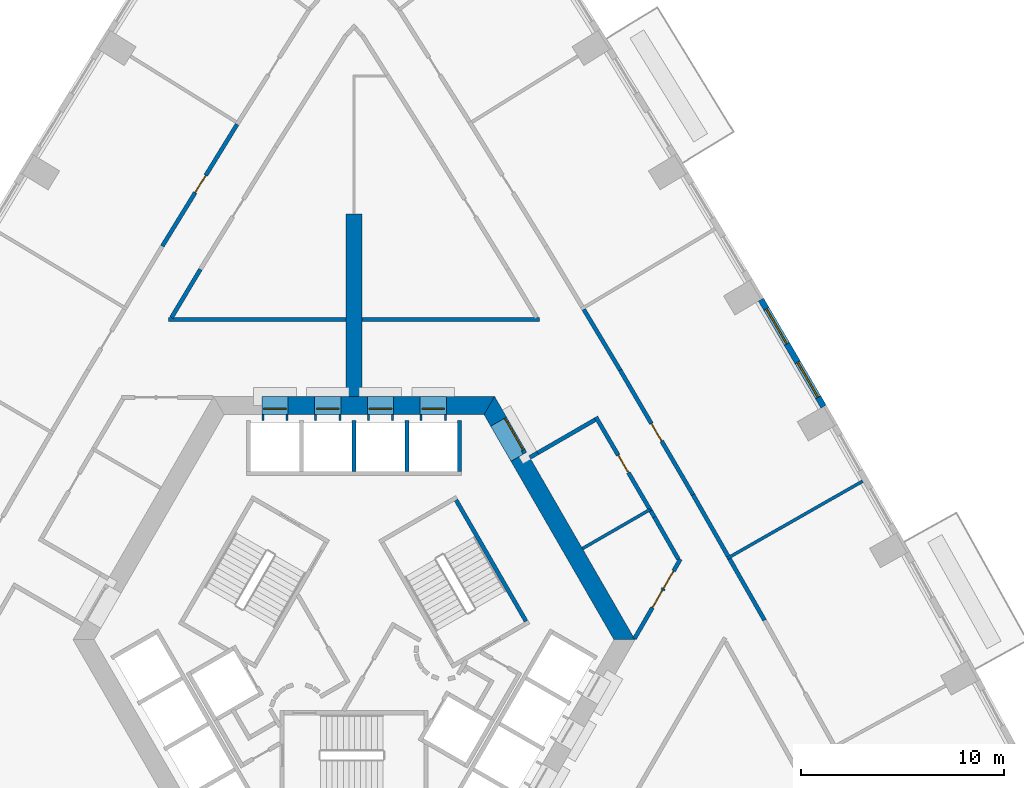
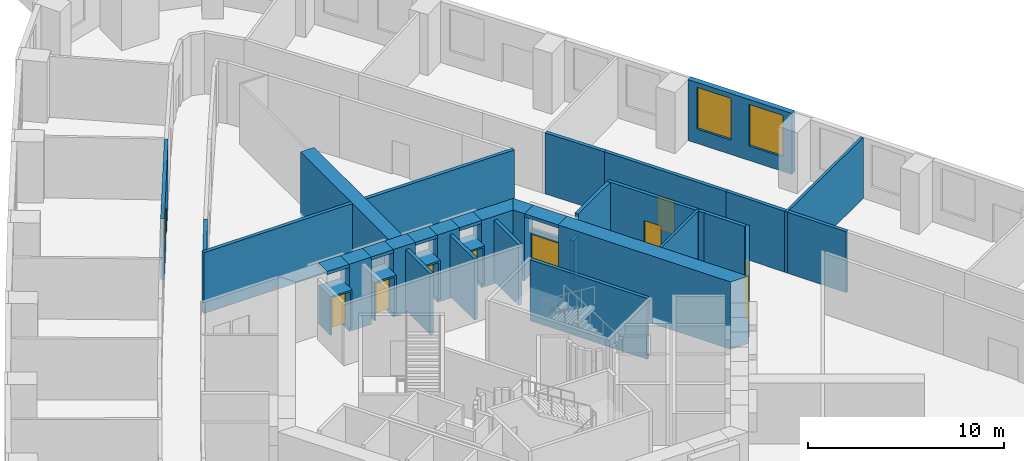
# One storey, part 9 of 15: 38 walls, 10 doors, 2 windows, 12 openings.
"""IFC4 building model written with IfcOpenShell, lengths in metres."""

from ifc_helpers import new_model, si_unit, direction, frame, frame_2d, origin, place, context, subcontext, project, spatial, polyline, rectangle, outline, extrude, material, layer, layer_set, type_object, element, fill, save


model = new_model("IFC4")

# Units and contexts
model_context = context("Model", 3, precision=1e-05, world=origin(), true_north=direction((0.0, 1.0)))
body_context = subcontext(model_context, "Body", "Model", "MODEL_VIEW")
ifc_project = project(units=[si_unit("LENGTHUNIT", "METRE"), si_unit("AREAUNIT", "SQUARE_METRE"), si_unit("VOLUMEUNIT", "CUBIC_METRE"), si_unit("PLANEANGLEUNIT", "RADIAN"), si_unit("MASSUNIT", "GRAM", prefix="KILO")], contexts=[model_context])

# Site, building, storey
site_placement = place(None, origin())
site = spatial("IfcSite", under=ifc_project, at=site_placement, CompositionType="ELEMENT")
building_placement = place(site_placement, origin())
building = spatial("IfcBuilding", under=site, at=building_placement, Name="Entoto Arch Interchange Tower", CompositionType="ELEMENT")
storey_placement = place(building_placement, frame((0.0, 0.0, 111.800048828125)))
storey = spatial("IfcBuildingStorey", under=building, at=storey_placement, Name="L24", CompositionType="ELEMENT", Elevation=111.800048828125)

# Wall
ifc_material_1 = material(Name="Concrete C60/75", Category="concrete")
ifc_layer_1 = layer(ifc_material_1, 0.800048828125)
ifc_layer_set_1 = layer_set([ifc_layer_1], Name="Concrete C60/75")
wall_type_1 = type_object("IfcWallType", Name="Buttress wall 800 C60/75", PredefinedType="SHEAR", material=ifc_layer_set_1)
wall_1_placement = place(storey_placement, frame((0.0, 14.5, -0.400146484375), z_axis=(0.0, 0.0, 1.0), x_axis=(0.0, 1.0, 0.0)))
element("IfcWall", 1, at=wall_1_placement, inside=storey, type_object=wall_type_1, Name="Buttress wall N L24", PredefinedType="SHEAR", context=body_context, shape_type="SweptSolid", body=[
    extrude(rectangle(XDim=9.0, YDim=0.800048828125, at=frame_2d((4.5, 0.0))), origin(), (0.0, 0.0, 1.0), 4.2001953125),
])

# Wall, opening, door
ifc_material_2 = material(Name="Reinforced concrete C40/50", Category="concrete")
ifc_layer_2 = layer(ifc_material_2, 0.199951171875)
ifc_layer_set_2 = layer_set([ifc_layer_2], Name="Reinforced concrete C40/50")
wall_type_2 = type_object("IfcWallType", Name="CORE GAP INFILL WALL", PredefinedType="PARTITIONING", material=ifc_layer_set_2)
wall_2_placement = place(storey_placement, frame((8.429931640625, 11.697998046875, 0.0), z_axis=(0.0, 0.0, 1.0), x_axis=(-0.50002537861, 0.866010750942, 0.0)))
wall_2 = element("IfcWall", 2, at=wall_2_placement, inside=storey, type_object=wall_type_2, Name="wall:L24:gap2", PredefinedType="PARTITIONING", context=body_context, shape_type="SweptSolid", body=[
    extrude(rectangle(XDim=2.0, YDim=0.199951171875, at=frame_2d((1.0, 0.0))), origin(), (0.0, 0.0, 1.0), 2.39990234375),
])
opening_1_placement = place(wall_2_placement, frame((0.18994140625, 0.0, 0.0)))
opening_1 = element("IfcOpeningElement", 3, at=opening_1_placement, cuts=wall_2, Name="Opening L24-D92", PredefinedType="OPENING", context=body_context, shape_type="SweptSolid", body=[
    extrude(rectangle(XDim=1.800048828125, YDim=2.10009765625, at=frame_2d((0.89990234375, 1.050048828125))), frame((0.0, 0.10986328125, 0.0), z_axis=(0.0, -1.0, 0.0), x_axis=(1.0, 0.0, 0.0)), (0.0, 0.0, 1.0), 0.219970703125),
])
ifc_material_3 = material(Name="Fire-rated Steel S235 door and frame", Category="steel")
door_type_1 = type_object("IfcDoorType", Name="DOOR FD-18 1800x2100", OperationType="DOUBLE_DOOR_SINGLE_SWING", PredefinedType="DOOR", material=ifc_material_3)
door_1_placement = place(opening_1_placement, origin())
door_1 = element("IfcDoor", 4, at=door_1_placement, inside=storey, type_object=door_type_1, Name="door:L24:gap2", OperationType="DOUBLE_DOOR_SINGLE_SWING", OverallHeight=2.10009765625, OverallWidth=1.800048828125, PredefinedType="DOOR", context=body_context, shape_type="SweptSolid", body=[
    extrude(rectangle(XDim=1.800048828125, YDim=2.10009765625, at=frame_2d((0.89990234375, 1.050048828125))), frame((0.0, 0.02490234375, 0.0), z_axis=(0.0, -1.0, 0.0), x_axis=(1.0, 0.0, 0.0)), (0.0, 0.0, 1.0), 0.050048828125),
])
fill(opening_1, door_1)

# Walls
ifc_layer_3 = layer(ifc_material_1, 0.89990234375)
ifc_layer_set_3 = layer_set([ifc_layer_3], Name="Concrete C60/75")
wall_type_3 = type_object("IfcWallType", Name="Core wall 900 C60/75", PredefinedType="SHEAR", material=ifc_layer_set_3)
wall_3_placement = place(storey_placement, frame((0.0, 0.0, -0.400146484375)))
element("IfcWall", 5, at=wall_3_placement, inside=storey, type_object=wall_type_3, Name="Core wall NE L24", PredefinedType="SHEAR", context=body_context, shape_type="SweptSolid", body=[
    extrude(outline(polyline([(8.51708984375, 11.748046875), (7.738037109375, 11.298095703125), (12.81689453125, 2.5), (13.85595703125, 2.5), (8.51708984375, 11.748046875)])), origin(), (0.0, 0.0, 1.0), 4.2001953125),
])
wall_4_placement = place(storey_placement, frame((0.0, 0.0, -0.400146484375)))
element("IfcWall", 6, at=wall_4_placement, inside=storey, type_object=wall_type_3, Name="Core wall NE L24", PredefinedType="SHEAR", context=body_context, shape_type="SweptSolid", body=[
    extrude(outline(polyline([(6.738037109375, 13.030029296875), (7.51708984375, 13.47998046875), (6.927978515625, 14.5), (6.408935546875, 13.60009765625), (6.738037109375, 13.030029296875)])), origin(), (0.0, 0.0, 1.0), 4.2001953125),
])
wall_5_placement = place(storey_placement, frame((0.0, 0.0, 3.599853515625)))
element("IfcWall", 7, at=wall_5_placement, inside=storey, type_object=wall_type_3, Name="Core wall lintel NE L24", PredefinedType="SHEAR", context=body_context, shape_type="SweptSolid", body=[
    extrude(outline(polyline([(7.51708984375, 13.47998046875), (6.738037109375, 13.030029296875), (7.738037109375, 11.298095703125), (8.51708984375, 11.748046875), (7.51708984375, 13.47998046875)])), origin(), (0.0, 0.0, 1.0), 0.2001953125),
])
wall_6_placement = place(storey_placement, frame((0.0, 0.0, -0.400146484375)))
element("IfcWall", 8, at=wall_6_placement, inside=storey, type_object=wall_type_3, Name="Core wall N L24", PredefinedType="SHEAR", context=body_context, shape_type="SweptSolid", body=[
    extrude(outline(polyline([(4.550048828125, 14.5), (4.550048828125, 13.60009765625), (6.408935546875, 13.60009765625), (6.927978515625, 14.5), (4.550048828125, 14.5)])), origin(), (0.0, 0.0, 1.0), 4.2001953125),
])
wall_7_placement = place(storey_placement, frame((0.0, 0.0, -0.400146484375)))
element("IfcWall", 9, at=wall_7_placement, inside=storey, type_object=wall_type_3, Name="Core wall N L24", PredefinedType="SHEAR", context=body_context, shape_type="SweptSolid", body=[
    extrude(outline(polyline([(1.949951171875, 14.5), (1.949951171875, 13.60009765625), (3.25, 13.60009765625), (3.25, 14.5), (1.949951171875, 14.5)])), origin(), (0.0, 0.0, 1.0), 4.2001953125),
])
wall_8_placement = place(storey_placement, frame((0.0, 0.0, -0.400146484375)))
element("IfcWall", 10, at=wall_8_placement, inside=storey, type_object=wall_type_3, Name="Core wall N L24", PredefinedType="SHEAR", context=body_context, shape_type="SweptSolid", body=[
    extrude(outline(polyline([(-0.64990234375, 14.5), (-0.64990234375, 13.60009765625), (0.64990234375, 13.60009765625), (0.64990234375, 14.5), (-0.64990234375, 14.5)])), origin(), (0.0, 0.0, 1.0), 4.2001953125),
])
wall_9_placement = place(storey_placement, frame((0.0, 0.0, -0.400146484375)))
element("IfcWall", 11, at=wall_9_placement, inside=storey, type_object=wall_type_3, Name="Core wall N L24", PredefinedType="SHEAR", context=body_context, shape_type="SweptSolid", body=[
    extrude(outline(polyline([(-3.25, 14.5), (-3.25, 13.60009765625), (-1.949951171875, 13.60009765625), (-1.949951171875, 14.5), (-3.25, 14.5)])), origin(), (0.0, 0.0, 1.0), 4.2001953125),
])
wall_10_placement = place(storey_placement, frame((0.0, 0.0, 3.599853515625)))
element("IfcWall", 12, at=wall_10_placement, inside=storey, type_object=wall_type_3, Name="Core wall lintel N L24", PredefinedType="SHEAR", context=body_context, shape_type="SweptSolid", body=[
    extrude(outline(polyline([(3.25, 14.5), (3.25, 13.60009765625), (4.550048828125, 13.60009765625), (4.550048828125, 14.5), (3.25, 14.5)])), origin(), (0.0, 0.0, 1.0), 0.2001953125),
])
wall_11_placement = place(storey_placement, frame((0.0, 0.0, 3.599853515625)))
element("IfcWall", 13, at=wall_11_placement, inside=storey, type_object=wall_type_3, Name="Core wall lintel N L24", PredefinedType="SHEAR", context=body_context, shape_type="SweptSolid", body=[
    extrude(outline(polyline([(0.64990234375, 14.5), (0.64990234375, 13.60009765625), (1.949951171875, 13.60009765625), (1.949951171875, 14.5), (0.64990234375, 14.5)])), origin(), (0.0, 0.0, 1.0), 0.2001953125),
])
wall_12_placement = place(storey_placement, frame((0.0, 0.0, 3.599853515625)))
element("IfcWall", 14, at=wall_12_placement, inside=storey, type_object=wall_type_3, Name="Core wall lintel N L24", PredefinedType="SHEAR", context=body_context, shape_type="SweptSolid", body=[
    extrude(outline(polyline([(-1.949951171875, 14.5), (-1.949951171875, 13.60009765625), (-0.64990234375, 13.60009765625), (-0.64990234375, 14.5), (-1.949951171875, 14.5)])), origin(), (0.0, 0.0, 1.0), 0.2001953125),
])
wall_13_placement = place(storey_placement, frame((0.0, 0.0, 3.599853515625)))
element("IfcWall", 15, at=wall_13_placement, inside=storey, type_object=wall_type_3, Name="Core wall lintel N L24", PredefinedType="SHEAR", context=body_context, shape_type="SweptSolid", body=[
    extrude(outline(polyline([(-4.550048828125, 14.5), (-4.550048828125, 13.60009765625), (-3.25, 13.60009765625), (-3.25, 14.5), (-4.550048828125, 14.5)])), origin(), (0.0, 0.0, 1.0), 0.2001953125),
])

# Wall, opening, door
ifc_material_4 = material(Name="Concrete C40/50", Category="concrete")
ifc_layer_4 = layer(ifc_material_4, 1.199951171875)
ifc_layer_set_4 = layer_set([ifc_layer_4], Name="Concrete C40/50")
wall_type_4 = type_object("IfcWallType", Name="LIFT LANDING INFILL WALL", PredefinedType="STANDARD", material=ifc_layer_set_4)
wall_14_placement = place(storey_placement, frame((4.550048828125, 13.89990234375, 0.0), z_axis=(0.0, 0.0, 1.0), x_axis=(-1.0, 0.0, 0.0)))
wall_14 = element("IfcWall", 16, at=wall_14_placement, inside=storey, type_object=wall_type_4, Name="Lift landing infill wall LR1 L24", PredefinedType="STANDARD", context=body_context, shape_type="SweptSolid", body=[
    extrude(rectangle(XDim=1.300048828125, YDim=1.199951171875, at=frame_2d((0.64990234375, 0.0))), origin(), (0.0, 0.0, 1.0), 2.39990234375),
])
opening_2_placement = place(wall_14_placement, frame((0.10009765625, 0.0, 0.0)))
opening_2 = element("IfcOpeningElement", 17, at=opening_2_placement, cuts=wall_14, Name="Opening LD-LR1-L24", PredefinedType="OPENING", context=body_context, shape_type="SweptSolid", body=[
    extrude(rectangle(XDim=1.10009765625, YDim=2.300048828125, at=frame_2d((0.550048828125, 1.14990234375))), frame((0.0, 0.60986328125, 0.0), z_axis=(0.0, -1.0, 0.0), x_axis=(1.0, 0.0, 0.0)), (0.0, 0.0, 1.0), 1.219970703125),
])
ifc_material_5 = material(Name="Stainless steel 1.4301 panels", Category="steel")
door_type_2 = type_object("IfcDoorType", Name="LIFT LANDING DOOR LD2 1100x2300", OperationType="SLIDING_TO_LEFT", PredefinedType="DOOR", material=ifc_material_5)
door_2_placement = place(opening_2_placement, origin())
door_2 = element("IfcDoor", 18, at=door_2_placement, inside=storey, type_object=door_type_2, Name="Lift landing door LR1 L24", OperationType="SLIDING_TO_LEFT", OverallHeight=2.300048828125, OverallWidth=1.10009765625, PredefinedType="DOOR", context=body_context, shape_type="SweptSolid", body=[
    extrude(rectangle(XDim=1.10009765625, YDim=2.300048828125, at=frame_2d((0.550048828125, 1.14990234375))), frame((0.0, 0.02490234375, 0.0), z_axis=(0.0, -1.0, 0.0), x_axis=(1.0, 0.0, 0.0)), (0.0, 0.0, 1.0), 0.050048828125),
])
fill(opening_2, door_2)

wall_15_placement = place(storey_placement, frame((1.949951171875, 13.89990234375, 0.0), z_axis=(0.0, 0.0, 1.0), x_axis=(-1.0, 0.0, 0.0)))
wall_15 = element("IfcWall", 19, at=wall_15_placement, inside=storey, type_object=wall_type_4, Name="Lift landing infill wall LR2 L24", PredefinedType="STANDARD", context=body_context, shape_type="SweptSolid", body=[
    extrude(rectangle(XDim=1.300048828125, YDim=1.199951171875, at=frame_2d((0.64990234375, 0.0))), origin(), (0.0, 0.0, 1.0), 2.39990234375),
])
opening_3_placement = place(wall_15_placement, frame((0.10009765625, 0.0, 0.0)))
opening_3 = element("IfcOpeningElement", 20, at=opening_3_placement, cuts=wall_15, Name="Opening LD-LR2-L24", PredefinedType="OPENING", context=body_context, shape_type="SweptSolid", body=[
    extrude(rectangle(XDim=1.10009765625, YDim=2.300048828125, at=frame_2d((0.550048828125, 1.14990234375))), frame((0.0, 0.60986328125, 0.0), z_axis=(0.0, -1.0, 0.0), x_axis=(1.0, 0.0, 0.0)), (0.0, 0.0, 1.0), 1.219970703125),
])
door_3_placement = place(opening_3_placement, origin())
door_3 = element("IfcDoor", 21, at=door_3_placement, inside=storey, type_object=door_type_2, Name="Lift landing door LR2 L24", OperationType="SLIDING_TO_LEFT", OverallHeight=2.300048828125, OverallWidth=1.10009765625, PredefinedType="DOOR", context=body_context, shape_type="SweptSolid", body=[
    extrude(rectangle(XDim=1.10009765625, YDim=2.300048828125, at=frame_2d((0.550048828125, 1.14990234375))), frame((0.0, 0.02490234375, 0.0), z_axis=(0.0, -1.0, 0.0), x_axis=(1.0, 0.0, 0.0)), (0.0, 0.0, 1.0), 0.050048828125),
])
fill(opening_3, door_3)

wall_16_placement = place(storey_placement, frame((-0.64990234375, 13.89990234375, 0.0), z_axis=(0.0, 0.0, 1.0), x_axis=(-1.0, 0.0, 0.0)))
wall_16 = element("IfcWall", 22, at=wall_16_placement, inside=storey, type_object=wall_type_4, Name="Lift landing infill wall LR3 L24", PredefinedType="STANDARD", context=body_context, shape_type="SweptSolid", body=[
    extrude(rectangle(XDim=1.300048828125, YDim=1.199951171875, at=frame_2d((0.64990234375, 0.0))), origin(), (0.0, 0.0, 1.0), 2.39990234375),
])
opening_4_placement = place(wall_16_placement, frame((0.10009765625, 0.0, 0.0)))
opening_4 = element("IfcOpeningElement", 23, at=opening_4_placement, cuts=wall_16, Name="Opening LD-LR3-L24", PredefinedType="OPENING", context=body_context, shape_type="SweptSolid", body=[
    extrude(rectangle(XDim=1.10009765625, YDim=2.300048828125, at=frame_2d((0.550048828125, 1.14990234375))), frame((0.0, 0.60986328125, 0.0), z_axis=(0.0, -1.0, 0.0), x_axis=(1.0, 0.0, 0.0)), (0.0, 0.0, 1.0), 1.219970703125),
])
door_4_placement = place(opening_4_placement, origin())
door_4 = element("IfcDoor", 24, at=door_4_placement, inside=storey, type_object=door_type_2, Name="Lift landing door LR3 L24", OperationType="SLIDING_TO_LEFT", OverallHeight=2.300048828125, OverallWidth=1.10009765625, PredefinedType="DOOR", context=body_context, shape_type="SweptSolid", body=[
    extrude(rectangle(XDim=1.10009765625, YDim=2.300048828125, at=frame_2d((0.550048828125, 1.14990234375))), frame((0.0, 0.02490234375, 0.0), z_axis=(0.0, -1.0, 0.0), x_axis=(1.0, 0.0, 0.0)), (0.0, 0.0, 1.0), 0.050048828125),
])
fill(opening_4, door_4)

wall_17_placement = place(storey_placement, frame((-3.25, 13.89990234375, 0.0), z_axis=(0.0, 0.0, 1.0), x_axis=(-1.0, 0.0, 0.0)))
wall_17 = element("IfcWall", 25, at=wall_17_placement, inside=storey, type_object=wall_type_4, Name="Lift landing infill wall LR4 L24", PredefinedType="STANDARD", context=body_context, shape_type="SweptSolid", body=[
    extrude(rectangle(XDim=1.300048828125, YDim=1.199951171875, at=frame_2d((0.64990234375, 0.0))), origin(), (0.0, 0.0, 1.0), 2.39990234375),
])
opening_5_placement = place(wall_17_placement, frame((0.10009765625, 0.0, 0.0)))
opening_5 = element("IfcOpeningElement", 26, at=opening_5_placement, cuts=wall_17, Name="Opening LD-LR4-L24", PredefinedType="OPENING", context=body_context, shape_type="SweptSolid", body=[
    extrude(rectangle(XDim=1.10009765625, YDim=2.300048828125, at=frame_2d((0.550048828125, 1.14990234375))), frame((0.0, 0.60986328125, 0.0), z_axis=(0.0, -1.0, 0.0), x_axis=(1.0, 0.0, 0.0)), (0.0, 0.0, 1.0), 1.219970703125),
])
door_5_placement = place(opening_5_placement, origin())
door_5 = element("IfcDoor", 27, at=door_5_placement, inside=storey, type_object=door_type_2, Name="Lift landing door LR4 L24", OperationType="SLIDING_TO_LEFT", OverallHeight=2.300048828125, OverallWidth=1.10009765625, PredefinedType="DOOR", context=body_context, shape_type="SweptSolid", body=[
    extrude(rectangle(XDim=1.10009765625, YDim=2.300048828125, at=frame_2d((0.550048828125, 1.14990234375))), frame((0.0, 0.02490234375, 0.0), z_axis=(0.0, -1.0, 0.0), x_axis=(1.0, 0.0, 0.0)), (0.0, 0.0, 1.0), 0.050048828125),
])
fill(opening_5, door_5)

# Walls
ifc_layer_5 = layer(ifc_material_4, 0.199951171875)
ifc_layer_set_5 = layer_set([ifc_layer_5], Name="Concrete C40/50")
wall_type_5 = type_object("IfcWallType", Name="LIFT SHAFT WALL 200", PredefinedType="STANDARD", material=ifc_layer_set_5)
for number, where, z_axis, x_axis, name in (
    (28, (5.199951171875, 10.800048828125, 0.0), (0.0, 0.0, 1.0), (0.0, 1.0, 0.0), "Shaft wall N3 cross 1"),
    (29, (2.60009765625, 10.800048828125, 0.0), (0.0, 0.0, 1.0), (0.0, 1.0, 0.0), "Shaft wall N3 cross 2"),
    (30, (0.0, 10.800048828125, 0.0), (0.0, 0.0, 1.0), (0.0, 1.0, 0.0), "Shaft wall N3 cross 3"),
):
    element("IfcWall", number, at=place(storey_placement, frame(where, z_axis=z_axis, x_axis=x_axis)), inside=storey, type_object=wall_type_5, Name=name, PredefinedType="STANDARD", context=body_context, shape_type="SweptSolid", body=[
        extrude(rectangle(XDim=2.5, YDim=0.199951171875, at=frame_2d((1.25, 0.0))), origin(), (0.0, 0.0, 1.0), 3.800048828125),
    ])
ifc_material_6 = material(Name="Gypsum board partition on steel studs", Category="steel")
ifc_layer_6 = layer(ifc_material_6, 0.14990234375)
ifc_layer_set_6 = layer_set([ifc_layer_6], Name="Gypsum board partition on steel studs")
wall_type_6 = type_object("IfcWallType", Name="PARTITION 150", PredefinedType="PARTITIONING", material=ifc_layer_set_6)
wall_18_placement = place(storey_placement, frame((11.260986328125, 6.993896484375, 0.0), z_axis=(0.0, 0.0, 1.0), x_axis=(0.86605248387, 0.499953092981, 0.0)))
element("IfcWall", 31, at=wall_18_placement, inside=storey, type_object=wall_type_6, Name="wall:L24:p091", PredefinedType="PARTITIONING", context=body_context, shape_type="SweptSolid", body=[
    extrude(rectangle(XDim=3.848388671875, YDim=0.14990234375, at=frame_2d((1.92431640625, 0.0))), origin(), (0.0, 0.0, 1.0), 3.800048828125),
])
wall_19_placement = place(storey_placement, frame((18.39111328125, 6.506103515625, 0.0), z_axis=(0.0, 0.0, 1.0), x_axis=(0.868738258528, 0.495271479261, 0.0)))
element("IfcWall", 32, at=wall_19_placement, inside=storey, type_object=wall_type_6, Name="wall:L24:p122", PredefinedType="PARTITIONING", context=body_context, shape_type="SweptSolid", body=[
    extrude(rectangle(XDim=7.70068359375, YDim=0.14990234375, at=frame_2d((3.850341796875, 0.0))), origin(), (0.0, 0.0, 1.0), 3.800048828125),
])
ifc_layer_7 = layer(ifc_material_6, 0.199951171875)
ifc_layer_set_7 = layer_set([ifc_layer_7], Name="Gypsum board partition on steel studs")
wall_type_7 = type_object("IfcWallType", Name="PARTITION 200", PredefinedType="PARTITIONING", material=ifc_layer_set_7)
wall_20_placement = place(storey_placement, frame((15.992919921875, 6.472900390625, 0.0), z_axis=(0.0, 0.0, 1.0), x_axis=(-0.495159881733, 0.86880187127, 0.0)))
element("IfcWall", 33, at=wall_20_placement, inside=storey, type_object=wall_type_7, Name="wall:L24:p005", PredefinedType="PARTITIONING", context=body_context, shape_type="SweptSolid", body=[
    extrude(rectangle(XDim=2.390869140625, YDim=0.199951171875, at=frame_2d((1.1953125, 0.0))), origin(), (0.0, 0.0, 1.0), 3.800048828125),
])
wall_21_placement = place(storey_placement, frame((14.80908203125, 8.550048828125, 0.0), z_axis=(0.0, 0.0, 1.0), x_axis=(-0.50443330283, 0.86345066043, 0.0)))
element("IfcWall", 34, at=wall_21_placement, inside=storey, type_object=wall_type_7, Name="wall:L24:p006", PredefinedType="PARTITIONING", context=body_context, shape_type="SweptSolid", body=[
    extrude(rectangle(XDim=0.350830078125, YDim=0.199951171875, at=frame_2d((0.17529296875, 0.0))), origin(), (0.0, 0.0, 1.0), 3.800048828125),
])

# Wall, opening, door
wall_22_placement = place(storey_placement, frame((14.632080078125, 8.85302734375, 0.0), z_axis=(0.0, 0.0, 1.0), x_axis=(-0.504798859257, 0.863236996249, 0.0)))
wall_22 = element("IfcWall", 35, at=wall_22_placement, inside=storey, type_object=wall_type_7, Name="wall:L24:p007", PredefinedType="PARTITIONING", context=body_context, shape_type="SweptSolid", body=[
    extrude(rectangle(XDim=5.364501953125, YDim=0.199951171875, at=frame_2d((2.68212890625, 0.0))), origin(), (0.0, 0.0, 1.0), 3.800048828125),
])
opening_6_placement = place(wall_22_placement, frame((2.181884765625, 0.0, 0.0)))
opening_6 = element("IfcOpeningElement", 36, at=opening_6_placement, cuts=wall_22, Name="Opening L24-D27", PredefinedType="OPENING", context=body_context, shape_type="SweptSolid", body=[
    extrude(rectangle(XDim=1.0, YDim=2.10009765625, at=frame_2d((0.5, 1.050048828125))), frame((0.0, 0.10986328125, 0.0), z_axis=(0.0, -1.0, 0.0), x_axis=(1.0, 0.0, 0.0)), (0.0, 0.0, 1.0), 0.219970703125),
])
ifc_material_7 = material(Name="Timber door leaf in Steel S235 frame", Category="steel")
door_type_3 = type_object("IfcDoorType", Name="DOOR DS-10 1000x2100", OperationType="SINGLE_SWING_LEFT", PredefinedType="DOOR", material=ifc_material_7)
door_6_placement = place(opening_6_placement, origin())
door_6 = element("IfcDoor", 37, at=door_6_placement, inside=storey, type_object=door_type_3, Name="door:L24:27", OperationType="SINGLE_SWING_LEFT", OverallHeight=2.10009765625, OverallWidth=1.0, PredefinedType="DOOR", context=body_context, shape_type="SweptSolid", body=[
    extrude(rectangle(XDim=1.0, YDim=2.10009765625, at=frame_2d((0.5, 1.050048828125))), frame((0.0, 0.02490234375, 0.0), z_axis=(0.0, -1.0, 0.0), x_axis=(1.0, 0.0, 0.0)), (0.0, 0.0, 1.0), 0.050048828125),
])
fill(opening_6, door_6)

# Walls
wall_23_placement = place(storey_placement, frame((11.887939453125, 13.347900390625, 0.0), z_axis=(0.0, 0.0, 1.0), x_axis=(-0.865959227195, -0.500114603702, 0.0)))
element("IfcWall", 38, at=wall_23_placement, inside=storey, type_object=wall_type_7, Name="wall:L24:p008", PredefinedType="PARTITIONING", context=body_context, shape_type="SweptSolid", body=[
    extrude(rectangle(XDim=3.269287109375, YDim=0.199951171875, at=frame_2d((1.634765625, 0.0))), origin(), (0.0, 0.0, 1.0), 3.800048828125),
])
wall_24_placement = place(storey_placement, frame((-7.575927734375, 20.76806640625, 0.0), z_axis=(0.0, 0.0, 1.0), x_axis=(-0.513900868925, -0.857849577092, 0.0)))
element("IfcWall", 39, at=wall_24_placement, inside=storey, type_object=wall_type_7, Name="wall:L24:p017", PredefinedType="PARTITIONING", context=body_context, shape_type="SweptSolid", body=[
    extrude(rectangle(XDim=2.77685546875, YDim=0.199951171875, at=frame_2d((1.388427734375, 0.0))), origin(), (0.0, 0.0, 1.0), 3.800048828125),
])
wall_25_placement = place(storey_placement, frame((18.514892578125, 6.490966796875, 0.0), z_axis=(0.0, 0.0, 1.0), x_axis=(0.495309264725, -0.868716715781, 0.0)))
element("IfcWall", 40, at=wall_25_placement, inside=storey, type_object=wall_type_7, Name="wall:L24:p045", PredefinedType="PARTITIONING", context=body_context, shape_type="SweptSolid", body=[
    extrude(rectangle(XDim=3.48681640625, YDim=0.199951171875, at=frame_2d((1.743408203125, 0.0))), origin(), (0.0, 0.0, 1.0), 3.800048828125),
])
wall_26_placement = place(storey_placement, frame((11.325927734375, 18.7900390625, 0.0), z_axis=(0.0, 0.0, 1.0), x_axis=(0.514155958966, -0.857696712049, 0.0)))
element("IfcWall", 41, at=wall_26_placement, inside=storey, type_object=wall_type_7, Name="wall:L24:p047", PredefinedType="PARTITIONING", context=body_context, shape_type="SweptSolid", body=[
    extrude(rectangle(XDim=3.4873046875, YDim=0.199951171875, at=frame_2d((1.74365234375, 0.0))), origin(), (0.0, 0.0, 1.0), 3.800048828125),
])

# Wall, opening, door
wall_27_placement = place(storey_placement, frame((13.118896484375, 15.799072265625, 0.0), z_axis=(0.0, 0.0, 1.0), x_axis=(0.504729598075, -0.863277494684, 0.0)))
wall_27 = element("IfcWall", 42, at=wall_27_placement, inside=storey, type_object=wall_type_7, Name="wall:L24:p048", PredefinedType="PARTITIONING", context=body_context, shape_type="SweptSolid", body=[
    extrude(rectangle(XDim=7.123046875, YDim=0.199951171875, at=frame_2d((3.5615234375, 0.0))), origin(), (0.0, 0.0, 1.0), 3.800048828125),
])
opening_7_placement = place(wall_27_placement, frame((3.06103515625, 0.0, 0.0)))
opening_7 = element("IfcOpeningElement", 43, at=opening_7_placement, cuts=wall_27, Name="Opening L24-D05", PredefinedType="OPENING", context=body_context, shape_type="SweptSolid", body=[
    extrude(rectangle(XDim=1.0, YDim=2.10009765625, at=frame_2d((0.5, 1.050048828125))), frame((0.0, 0.10986328125, 0.0), z_axis=(0.0, -1.0, 0.0), x_axis=(1.0, 0.0, 0.0)), (0.0, 0.0, 1.0), 0.219970703125),
])
door_7_placement = place(opening_7_placement, origin())
door_7 = element("IfcDoor", 44, at=door_7_placement, inside=storey, type_object=door_type_3, Name="door:L24:05", OperationType="SINGLE_SWING_RIGHT", OverallHeight=2.10009765625, OverallWidth=1.0, PredefinedType="DOOR", context=body_context, shape_type="SweptSolid", body=[
    extrude(rectangle(XDim=1.0, YDim=2.10009765625, at=frame_2d((0.5, 1.050048828125))), frame((0.0, 0.02490234375, 0.0), z_axis=(0.0, -1.0, 0.0), x_axis=(1.0, 0.0, 0.0)), (0.0, 0.0, 1.0), 0.050048828125),
])
fill(opening_7, door_7)

# Wall
wall_28_placement = place(storey_placement, frame((16.714111328125, 9.64990234375, 0.0), z_axis=(0.0, 0.0, 1.0), x_axis=(0.495286549488, -0.868729666753, 0.0)))
element("IfcWall", 45, at=wall_28_placement, inside=storey, type_object=wall_type_7, Name="wall:L24:p049", PredefinedType="PARTITIONING", context=body_context, shape_type="SweptSolid", body=[
    extrude(rectangle(XDim=3.486572265625, YDim=0.199951171875, at=frame_2d((1.7431640625, 0.0))), origin(), (0.0, 0.0, 1.0), 3.800048828125),
])

# Wall, opening, door
wall_29_placement = place(storey_placement, frame((-9.45703125, 21.908935546875, 0.0), z_axis=(0.0, 0.0, 1.0), x_axis=(0.523366731761, 0.852107542559, 0.0)))
wall_29 = element("IfcWall", 46, at=wall_29_placement, inside=storey, type_object=wall_type_7, Name="wall:L24:p059", PredefinedType="PARTITIONING", context=body_context, shape_type="SweptSolid", body=[
    extrude(rectangle(XDim=7.048583984375, YDim=0.199951171875, at=frame_2d((3.5244140625, 0.0))), origin(), (0.0, 0.0, 1.0), 3.800048828125),
])
opening_8_placement = place(wall_29_placement, frame((3.09912109375, 0.0, 0.0)))
opening_8 = element("IfcOpeningElement", 47, at=opening_8_placement, cuts=wall_29, Name="Opening L24-D10", PredefinedType="OPENING", context=body_context, shape_type="SweptSolid", body=[
    extrude(rectangle(XDim=1.0, YDim=2.10009765625, at=frame_2d((0.5, 1.050048828125))), frame((0.0, 0.10986328125, 0.0), z_axis=(0.0, -1.0, 0.0), x_axis=(1.0, 0.0, 0.0)), (0.0, 0.0, 1.0), 0.219970703125),
])
door_8_placement = place(opening_8_placement, origin())
door_8 = element("IfcDoor", 48, at=door_8_placement, inside=storey, type_object=door_type_3, Name="door:L24:10", OperationType="SINGLE_SWING_LEFT", OverallHeight=2.10009765625, OverallWidth=1.0, PredefinedType="DOOR", context=body_context, shape_type="SweptSolid", body=[
    extrude(rectangle(XDim=1.0, YDim=2.10009765625, at=frame_2d((0.5, 1.050048828125))), frame((0.0, 0.02490234375, 0.0), z_axis=(0.0, -1.0, 0.0), x_axis=(1.0, 0.0, 0.0)), (0.0, 0.0, 1.0), 0.050048828125),
])
fill(opening_8, door_8)

# Wall, openings, doors
wall_30_placement = place(storey_placement, frame((13.826904296875, 2.550048828125, 0.0), z_axis=(0.0, 0.0, 1.0), x_axis=(0.500045913515, 0.865998893981, 0.0)))
wall_30 = element("IfcWall", 49, at=wall_30_placement, inside=storey, type_object=wall_type_7, Name="wall:L24:p092", PredefinedType="PARTITIONING", context=body_context, shape_type="SweptSolid", body=[
    extrude(rectangle(XDim=4.52978515625, YDim=0.199951171875, at=frame_2d((2.264892578125, 0.0))), origin(), (0.0, 0.0, 1.0), 3.800048828125),
])
opening_9_placement = place(wall_30_placement, frame((1.764892578125, 0.0, 0.0)))
opening_9 = element("IfcOpeningElement", 50, at=opening_9_placement, cuts=wall_30, Name="Opening L24-D26", PredefinedType="OPENING", context=body_context, shape_type="SweptSolid", body=[
    extrude(rectangle(XDim=1.0, YDim=2.10009765625, at=frame_2d((0.5, 1.050048828125))), frame((0.0, 0.10986328125, 0.0), z_axis=(0.0, -1.0, 0.0), x_axis=(1.0, 0.0, 0.0)), (0.0, 0.0, 1.0), 0.219970703125),
])
opening_10_placement = place(wall_30_placement, frame((2.864990234375, 0.0, 0.0)))
opening_10 = element("IfcOpeningElement", 51, at=opening_10_placement, cuts=wall_30, Name="Opening L24-D33", PredefinedType="OPENING", context=body_context, shape_type="SweptSolid", body=[
    extrude(rectangle(XDim=1.0, YDim=2.10009765625, at=frame_2d((0.5, 1.050048828125))), frame((0.0, 0.10986328125, 0.0), z_axis=(0.0, -1.0, 0.0), x_axis=(1.0, 0.0, 0.0)), (0.0, 0.0, 1.0), 0.219970703125),
])
door_9_placement = place(opening_9_placement, origin())
door_9 = element("IfcDoor", 52, at=door_9_placement, inside=storey, type_object=door_type_3, Name="door:L24:26", OperationType="SINGLE_SWING_LEFT", OverallHeight=2.10009765625, OverallWidth=1.0, PredefinedType="DOOR", context=body_context, shape_type="SweptSolid", body=[
    extrude(rectangle(XDim=1.0, YDim=2.10009765625, at=frame_2d((0.5, 1.050048828125))), frame((0.0, 0.02490234375, 0.0), z_axis=(0.0, -1.0, 0.0), x_axis=(1.0, 0.0, 0.0)), (0.0, 0.0, 1.0), 0.050048828125),
])
fill(opening_9, door_9)
door_10_placement = place(opening_10_placement, origin())
door_10 = element("IfcDoor", 53, at=door_10_placement, inside=storey, type_object=door_type_3, Name="door:L24:33", OperationType="SINGLE_SWING_RIGHT", OverallHeight=2.10009765625, OverallWidth=1.0, PredefinedType="DOOR", context=body_context, shape_type="SweptSolid", body=[
    extrude(rectangle(XDim=1.0, YDim=2.10009765625, at=frame_2d((0.5, 1.050048828125))), frame((0.0, 0.02490234375, 0.0), z_axis=(0.0, -1.0, 0.0), x_axis=(1.0, 0.0, 0.0)), (0.0, 0.0, 1.0), 0.050048828125),
])
fill(opening_10, door_10)

# Walls
for number, where, z_axis, x_axis, name in (
    (54, (0.39990234375, 18.300048828125, 0.0), (0.0, 0.0, 1.0), (1.0, 0.0, 0.0), "wall:L24:p114"),
    (55, (-9.155029296875, 18.300048828125, 0.0), (0.0, 0.0, 1.0), (1.0, 0.0, 0.0), "wall:L24:p115"),
):
    element("IfcWall", number, at=place(storey_placement, frame(where, z_axis=z_axis, x_axis=x_axis)), inside=storey, type_object=wall_type_7, Name=name, PredefinedType="PARTITIONING", context=body_context, shape_type="SweptSolid", body=[
        extrude(rectangle(XDim=8.755126953125, YDim=0.199951171875, at=frame_2d((4.37744140625, 0.0))), origin(), (0.0, 0.0, 1.0), 3.800048828125),
    ])
wall_31_placement = place(storey_placement, frame((9.056884765625, 11.712890625, 0.0), z_axis=(0.0, 0.0, 1.0), x_axis=(-0.866266849364, -0.49958157061, 0.0)))
element("IfcWall", 56, at=wall_31_placement, inside=storey, type_object=wall_type_7, Name="wall:L24:p008", PredefinedType="PARTITIONING", context=body_context, shape_type="SweptSolid", body=[
    extrude(rectangle(XDim=0.4501953125, YDim=0.199951171875, at=frame_2d((0.22509765625, 0.0))), origin(), (0.0, 0.0, 1.0), 2.39990234375),
])
ifc_layer_8 = layer(ifc_material_4, 0.199951171875)
ifc_layer_set_8 = layer_set([ifc_layer_8], Name="Concrete C40/50")
wall_type_8 = type_object("IfcWallType", Name="STAIR ENCLOSURE WALL 200", PredefinedType="STANDARD", material=ifc_layer_set_8)
wall_32_placement = place(storey_placement, frame((8.47998046875, 3.412109375, 0.0), z_axis=(0.0, 0.0, 1.0), x_axis=(-0.499978703459, 0.866037698999, 0.0)))
element("IfcWall", 57, at=wall_32_placement, inside=storey, type_object=wall_type_8, Name="Stair wall ST-NE back", PredefinedType="STANDARD", context=body_context, shape_type="SweptSolid", body=[
    extrude(rectangle(XDim=6.900146484375, YDim=0.199951171875, at=frame_2d((3.4501953125, 0.0))), origin(), (0.0, 0.0, 1.0), 3.800048828125),
])

# Wall, openings, windows
ifc_material_8 = material(Name="Welded tuff (ignimbrite) cladding, warm buff", Category="masonry")
ifc_layer_9 = layer(ifc_material_8, 0.300048828125)
ifc_layer_set_9 = layer_set([ifc_layer_9], Name="Welded tuff (ignimbrite) cladding, warm buff")
wall_type_9 = type_object("IfcWallType", Name="STONE INFILL WALL 300", PredefinedType="STANDARD", material=ifc_layer_set_9)
wall_33_placement = place(storey_placement, frame((23.14892578125, 13.9990234375, 0.0), z_axis=(0.0, 0.0, 1.0), x_axis=(-0.504790055126, 0.863242144619, 0.0)))
wall_33 = element("IfcWall", 58, at=wall_33_placement, inside=storey, type_object=wall_type_9, Name="Facade wall NE-05 L24", PredefinedType="STANDARD", context=body_context, shape_type="SweptSolid", body=[
    extrude(rectangle(XDim=6.109375, YDim=0.300048828125, at=frame_2d((3.0546875, 0.0))), origin(), (0.0, 0.0, 1.0), 3.800048828125),
])
opening_11_placement = place(wall_33_placement, frame((0.527099609375, 0.0, 0.89990234375)))
opening_11 = element("IfcOpeningElement", 59, at=opening_11_placement, cuts=wall_33, Name="Opening WO-C", PredefinedType="OPENING", context=body_context, shape_type="SweptSolid", body=[
    extrude(rectangle(XDim=2.0, YDim=2.60009765625, at=frame_2d((1.0, 1.300048828125))), frame((0.0, 0.16015625, 0.0), z_axis=(0.0, -1.0, 0.0), x_axis=(1.0, 0.0, 0.0)), (0.0, 0.0, 1.0), 0.320068359375),
])
opening_12_placement = place(wall_33_placement, frame((3.58203125, 0.0, 0.89990234375)))
opening_12 = element("IfcOpeningElement", 60, at=opening_12_placement, cuts=wall_33, Name="Opening WO-C", PredefinedType="OPENING", context=body_context, shape_type="SweptSolid", body=[
    extrude(rectangle(XDim=2.0, YDim=2.60009765625, at=frame_2d((1.0, 1.300048828125))), frame((0.0, 0.16015625, 0.0), z_axis=(0.0, -1.0, 0.0), x_axis=(1.0, 0.0, 0.0)), (0.0, 0.0, 1.0), 0.320068359375),
])
ifc_material_9 = material(Name="Clear glass, low-e double glazed", Category="glass")
window_type = type_object("IfcWindowType", Name="WINDOW WO-C 2000x2600", PartitioningType="DOUBLE_PANEL_VERTICAL", PredefinedType="WINDOW", material=ifc_material_9)
window_1_placement = place(opening_11_placement, origin())
window_1 = element("IfcWindow", 61, at=window_1_placement, inside=storey, type_object=window_type, Name="Window WO-C NE-05 L24", OverallHeight=2.60009765625, OverallWidth=2.0, PartitioningType="SINGLE_PANEL", PredefinedType="WINDOW", context=body_context, shape_type="SweptSolid", body=[
    extrude(rectangle(XDim=2.0, YDim=2.60009765625, at=frame_2d((1.0, 1.300048828125))), frame((0.0, 0.030029296875, 0.0), z_axis=(0.0, -1.0, 0.0), x_axis=(1.0, 0.0, 0.0)), (0.0, 0.0, 1.0), 0.06005859375),
])
fill(opening_11, window_1)
window_2_placement = place(opening_12_placement, origin())
window_2 = element("IfcWindow", 62, at=window_2_placement, inside=storey, type_object=window_type, Name="Window WO-C NE-05 L24", OverallHeight=2.60009765625, OverallWidth=2.0, PartitioningType="SINGLE_PANEL", PredefinedType="WINDOW", context=body_context, shape_type="SweptSolid", body=[
    extrude(rectangle(XDim=2.0, YDim=2.60009765625, at=frame_2d((1.0, 1.300048828125))), frame((0.0, 0.030029296875, 0.0), z_axis=(0.0, -1.0, 0.0), x_axis=(1.0, 0.0, 0.0)), (0.0, 0.0, 1.0), 0.06005859375),
])
fill(opening_12, window_2)

save(model, "model.ifc")
